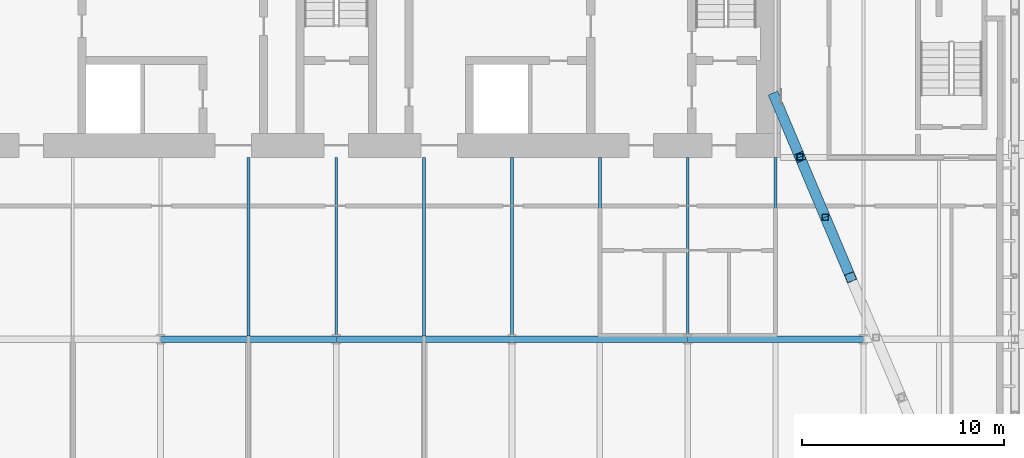
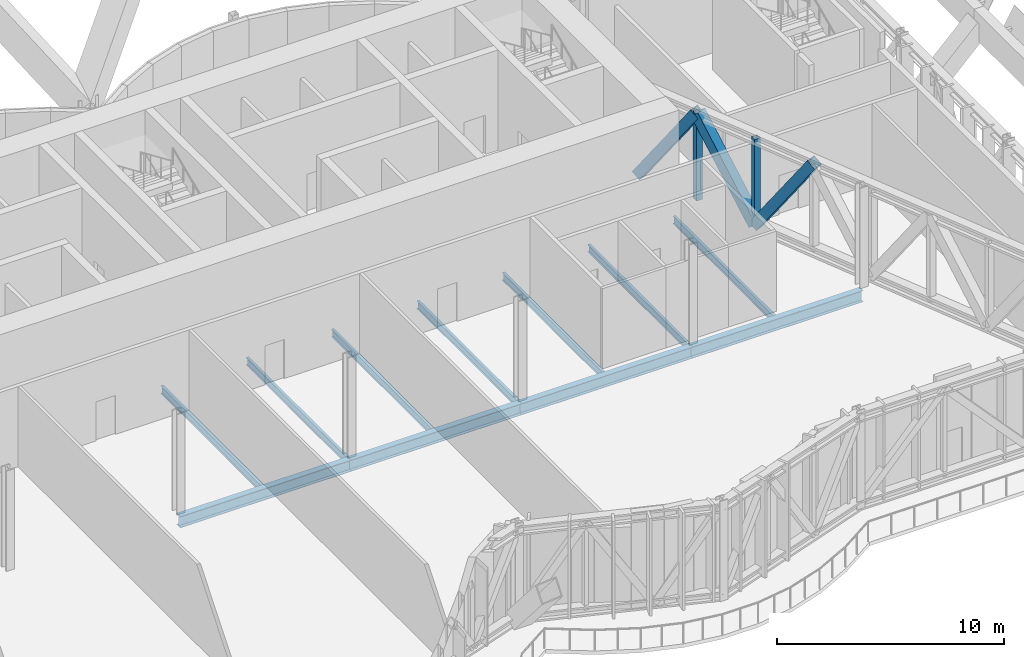
# One storey, part 13 of 32: 11 beams, 5 members.
"""IFC4 building model written with IfcOpenShell, lengths in metres."""

from ifc_helpers import new_model, si_unit, direction, frame, origin, origin_2d, place, context, subcontext, project, spatial, hollow_rectangle, i_section, extrude, material, material_profile, profile_set, type_object, element, save


model = new_model("IFC4")

# Units and contexts
model_context = context("Model", 3, precision=1e-05, world=origin(), true_north=direction((0.0, 1.0)))
body_context = subcontext(model_context, "Body", "Model", "MODEL_VIEW")
ifc_project = project(units=[si_unit("LENGTHUNIT", "METRE"), si_unit("AREAUNIT", "SQUARE_METRE"), si_unit("VOLUMEUNIT", "CUBIC_METRE"), si_unit("PLANEANGLEUNIT", "RADIAN"), si_unit("MASSUNIT", "GRAM", prefix="KILO")], contexts=[model_context])

# Site, building, storey
site_placement = place(None, origin())
site = spatial("IfcSite", under=ifc_project, at=site_placement, CompositionType="ELEMENT")
building_placement = place(site_placement, origin())
building = spatial("IfcBuilding", under=site, at=building_placement, Name="Bicima Exchange Tower", CompositionType="ELEMENT")
storey_placement = place(building_placement, frame((0.0, 0.0, 84.5)))
storey = spatial("IfcBuildingStorey", under=building, at=storey_placement, Name="L17", CompositionType="ELEMENT", Elevation=84.5)

# Beams
ifc_material_1 = material(Name="Steel ASTM A992 Gr 50", Category="steel")
ifc_material_profile_1 = material_profile(ifc_material_1, i_section(OverallWidth=0.140380859375, OverallDepth=0.40380859375, WebThickness=0.007080078125, FlangeThickness=0.01123046875, at=origin_2d()))
ifc_profile_set_1 = profile_set([ifc_material_profile_1], Name="Steel ASTM A992 Gr 50")
beam_type_1 = type_object("IfcBeamType", Name="Floor beam W16x31", PredefinedType="JOIST", material=ifc_profile_set_1)
for number, where, z_axis, x_axis, name in (
    (1, (-4.35009765625, -13.0, -0.40185546875), (0.0, -1.0, 0.0), (1.0, 0.0, 0.0), "Floor beam"),
    (2, (0.0, -13.0, -0.40185546875), (0.0, -1.0, 0.0), (1.0, 0.0, 0.0), "Floor beam"),
    (3, (4.35009765625, -13.0, -0.40185546875), (0.0, -1.0, 0.0), (1.0, 0.0, 0.0), "Floor beam"),
    (4, (8.699951171875, -13.0, -0.40185546875), (0.0, -1.0, 0.0), (1.0, 0.0, 0.0), "Floor beam"),
    (5, (13.050048828125, -13.0, -0.40185546875), (0.0, -1.0, 0.0), (1.0, 0.0, 0.0), "Floor beam"),
    (6, (17.39990234375, -13.0, -0.40185546875), (0.0, -1.0, 0.0), (1.0, 0.0, 0.0), "Floor beam"),
    (7, (21.75, -13.0, -0.40185546875), (0.0, -1.0, 0.0), (1.0, 0.0, 0.0), "Floor beam"),
):
    element("IfcBeam", number, at=place(storey_placement, frame(where, z_axis=z_axis, x_axis=x_axis)), inside=storey, type_object=beam_type_1, Name=name, PredefinedType="JOIST", context=body_context, shape_type="SweptSolid", body=[
        extrude(i_section(OverallWidth=0.140380859375, OverallDepth=0.40380859375, WebThickness=0.007080078125, FlangeThickness=0.01123046875, at=origin_2d()), origin(), (0.0, 0.0, 1.0), 8.83740234375),
    ])

# Members
ifc_material_2 = material(Name="Steel ASTM A572 Gr 50", Category="steel")
ifc_material_profile_2 = material_profile(ifc_material_2, hollow_rectangle(XDim=0.508056640625, YDim=0.508056640625, WallThickness=0.017822265625, at=origin_2d()))
ifc_profile_set_2 = profile_set([ifc_material_profile_2], Name="Steel ASTM A572 Gr 50")
member_type_1 = type_object("IfcMemberType", Name="Outrigger truss diagonal HSS20x20x3/4", PredefinedType="STRUT", material=ifc_profile_set_2)
for number, where, z_axis, x_axis, name in (
    (8, (21.699951171875, -10.0, 0.284423828125), (0.220750685657, -0.523397600797, 0.822997014735), (0.921400520551, 0.388614308446, 0.0), "Truss diagonal"),
    (9, (22.95556640625, -12.97705078125, 4.965576171875), (0.220750685657, -0.523397600797, -0.822997014735), (0.921400520551, 0.388614308446, 0.0), "Truss diagonal"),
    (10, (24.211181640625, -15.9541015625, 0.284423828125), (0.220745726332, -0.523428763878, 0.82297852551), (0.921411930783, 0.388587253794, 0.0), "Truss diagonal"),
):
    element("IfcMember", number, at=place(storey_placement, frame(where, z_axis=z_axis, x_axis=x_axis)), inside=storey, type_object=member_type_1, Name=name, PredefinedType="STRUT", context=body_context, shape_type="SweptSolid", body=[
        extrude(hollow_rectangle(XDim=0.508056640625, YDim=0.508056640625, WallThickness=0.017822265625, at=origin_2d()), origin(), (0.0, 0.0, 1.0), 5.68798828125),
    ])
ifc_material_profile_3 = material_profile(ifc_material_2, hollow_rectangle(XDim=0.3046875, YDim=0.3046875, WallThickness=0.01171875, at=origin_2d()))
ifc_profile_set_3 = profile_set([ifc_material_profile_3], Name="Steel ASTM A572 Gr 50")
member_type_2 = type_object("IfcMemberType", Name="Outrigger truss post HSS12x12x1/2", PredefinedType="POST", material=ifc_profile_set_3)
for number, where, z_axis, x_axis, name in (
    (11, (22.95556640625, -12.97705078125, 0.284423828125), (0.0, 0.0, 1.0), (1.0, 0.0, 0.0), "Truss post"),
    (12, (24.211181640625, -15.9541015625, 0.284423828125), (0.0, 0.0, 1.0), (1.0, 0.0, 0.0), "Truss post"),
):
    element("IfcMember", number, at=place(storey_placement, frame(where, z_axis=z_axis, x_axis=x_axis)), inside=storey, type_object=member_type_2, Name=name, PredefinedType="POST", context=body_context, shape_type="SweptSolid", body=[
        extrude(hollow_rectangle(XDim=0.3046875, YDim=0.3046875, WallThickness=0.01171875, at=origin_2d()), origin(), (0.0, 0.0, 1.0), 4.68115234375),
    ])

# Beams
ifc_material_profile_4 = material_profile(ifc_material_1, i_section(OverallWidth=0.3251953125, OverallDepth=0.612060546875, WebThickness=0.0126953125, FlangeThickness=0.01904296875, at=origin_2d()))
ifc_profile_set_4 = profile_set([ifc_material_profile_4], Name="Steel ASTM A992 Gr 50")
beam_type_2 = type_object("IfcBeamType", Name="Row girder W24x104", PredefinedType="BEAM", material=ifc_profile_set_4)
for number, where, z_axis, x_axis, name in (
    (13, (-8.699951171875, -22.0, -0.506103515625), (1.0, 0.0, 0.0), (0.0, 1.0, 0.0), "Row girder"),
    (14, (0.0, -22.0, -0.506103515625), (1.0, 0.0, 0.0), (0.0, 1.0, 0.0), "Row girder"),
    (15, (8.699951171875, -22.0, -0.506103515625), (1.0, 0.0, 0.0), (0.0, 1.0, 0.0), "Row girder"),
):
    element("IfcBeam", number, at=place(storey_placement, frame(where, z_axis=z_axis, x_axis=x_axis)), inside=storey, type_object=beam_type_2, Name=name, PredefinedType="BEAM", context=body_context, shape_type="SweptSolid", body=[
        extrude(i_section(OverallWidth=0.3251953125, OverallDepth=0.612060546875, WebThickness=0.0126953125, FlangeThickness=0.01904296875, at=origin_2d()), origin(), (0.0, 0.0, 1.0), 8.699951171875),
    ])
beam_placement = place(storey_placement, frame((17.39990234375, -22.0, -0.506103515625), z_axis=(1.0, 0.0, 0.0), x_axis=(0.0, 1.0, 0.0)))
element("IfcBeam", 16, at=beam_placement, inside=storey, type_object=beam_type_2, Name="Row girder", PredefinedType="BEAM", context=body_context, shape_type="SweptSolid", body=[
    extrude(i_section(OverallWidth=0.3251953125, OverallDepth=0.612060546875, WebThickness=0.0126953125, FlangeThickness=0.01904296875, at=origin_2d()), origin(), (0.0, 0.0, 1.0), 8.7001953125),
])

save(model, "model.ifc")
